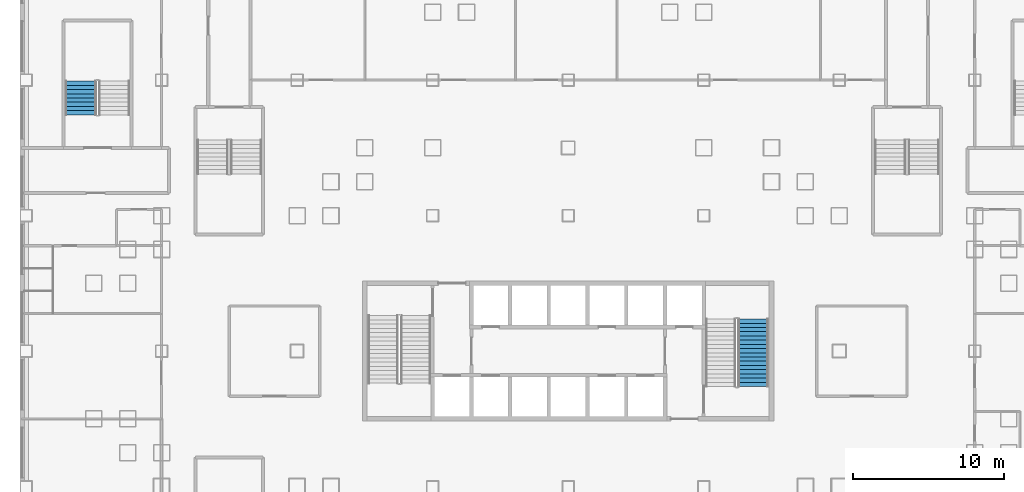
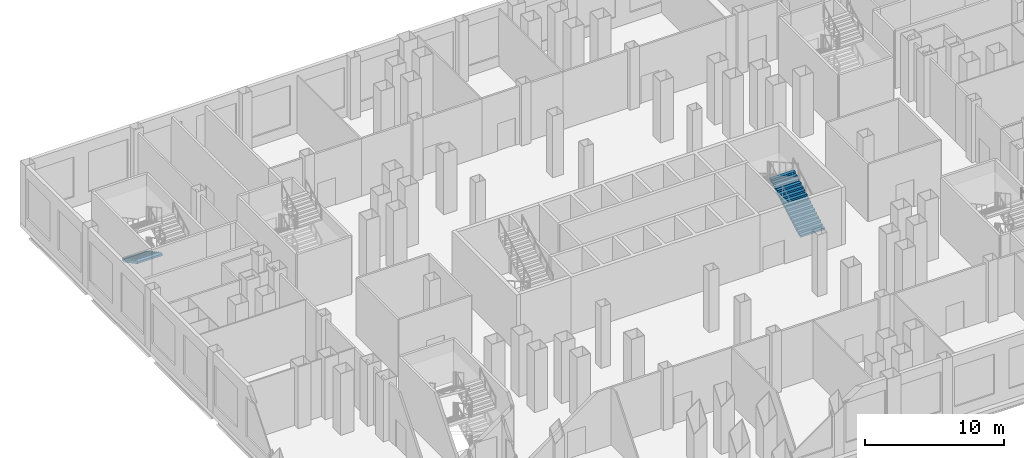
# One storey, part 15 of 27: 2 stair flights, 2 elements without a shape of their own.
"""IFC4 building model written with IfcOpenShell, lengths in metres."""

from ifc_helpers import new_model, si_unit, direction, frame, origin, place, context, subcontext, project, spatial, polygons, material, type_object, element, aggregate, save


model = new_model("IFC4")

# Units and contexts
model_context = context("Model", 3, precision=1e-05, world=origin(), true_north=direction((0.0, 1.0)))
body_context = subcontext(model_context, "Body", "Model", "MODEL_VIEW")
ifc_project = project(units=[si_unit("LENGTHUNIT", "METRE"), si_unit("AREAUNIT", "SQUARE_METRE"), si_unit("VOLUMEUNIT", "CUBIC_METRE"), si_unit("PLANEANGLEUNIT", "RADIAN"), si_unit("MASSUNIT", "GRAM", prefix="KILO")], contexts=[model_context])

# Site, building, storey
site_placement = place(None, origin())
site = spatial("IfcSite", under=ifc_project, at=site_placement, CompositionType="ELEMENT")
building_placement = place(site_placement, origin())
building = spatial("IfcBuilding", under=site, at=building_placement, Name="Caravel Reach Hotel and Residences", CompositionType="ELEMENT")
storey_placement = place(building_placement, frame((0.0, 0.0, 6.60009765625)))
storey = spatial("IfcBuildingStorey", under=building, at=storey_placement, Name="L01", CompositionType="ELEMENT", Elevation=6.60009765625)

# Stair, stair flight
ifc_material_1 = material(Name="Concrete C40", Category="concrete")
stair_type = type_object("IfcStairType", Name="Core stair", PredefinedType="HALF_TURN_STAIR", material=ifc_material_1)
stair_1_placement = place(storey_placement, origin())
stair_1 = element("IfcStair", 1, at=stair_1_placement, inside=storey, type_object=stair_type, Name="L01 Exit stair B", PredefinedType="HALF_TURN_STAIR")
ifc_material_2 = material(Name="Concrete C40", Category="concrete")
stair_flight_type = type_object("IfcStairFlightType", Name="Core stair flight", PredefinedType="STRAIGHT", material=ifc_material_2)
stair_flight_1_placement = place(storey_placement, frame((43.77490234375, 24.64990234375, 0.0), z_axis=(0.0, 0.0, 1.0), x_axis=(0.0, 1.0, 0.0)))
stair_flight_1 = element("IfcStairFlight", 2, at=stair_flight_1_placement, type_object=stair_flight_type, Name="ST-B flight 1", NumberOfRisers=17, NumberOfTreads=16, PredefinedType="STRAIGHT", RiserHeight=0.158823529, TreadLength=0.28, context=body_context, shape_type="Tessellation", body=[
    polygons([(0.30382651472380307, 1.0, 0.0), (0.30382651472380307, 0.6666666666666667, 0.0), (0.30382651472380307, 0.33333333333333337, 0.0), (0.30382651472380307, 0.0, 0.0), (0.30382651472380307, -0.33333333333333326, 0.0), (0.30382651472380307, -0.6666666666666667, 0.0), (0.30382651472380307, -1.0, 0.0), (4.481000000000001, 1.0, 2.3688378951706968), (4.481000000000001, 0.6666666666666667, 2.3688378951706968), (4.481000000000001, 0.33333333333333337, 2.3688378951706968), (4.481000000000001, 0.0, 2.3688378951706968), (4.481000000000001, -0.33333333333333326, 2.3688378951706968), (4.481000000000001, -0.6666666666666667, 2.3688378951706968), (4.481000000000001, -1.0, 2.3688378951706968), (4.481000000000001, 1.0, 2.541176464), (4.481000000000001, 0.6666666666666667, 2.541176464), (4.481000000000001, 0.33333333333333337, 2.541176464), (4.481000000000001, 0.0, 2.541176464), (4.481000000000001, -0.33333333333333326, 2.541176464), (4.481000000000001, -0.6666666666666667, 2.541176464), (4.481000000000001, -1.0, 2.541176464), (4.2, 1.0, 2.541176464), (4.2, 0.6666666666666667, 2.541176464), (4.2, 0.33333333333333337, 2.541176464), (4.2, 0.0, 2.541176464), (4.2, -0.33333333333333326, 2.541176464), (4.2, -0.6666666666666667, 2.541176464), (4.2, -1.0, 2.541176464), (4.2, 1.0, 2.3823529349999997), (4.2, 0.6666666666666667, 2.3823529349999997), (4.2, 0.33333333333333337, 2.3823529349999997), (4.2, 0.0, 2.3823529349999997), (4.2, -0.33333333333333326, 2.3823529349999997), (4.2, -0.6666666666666667, 2.3823529349999997), (4.2, -1.0, 2.3823529349999997), (3.9200000000000004, 1.0, 2.3823529349999997), (3.9200000000000004, 0.6666666666666667, 2.3823529349999997), (3.9200000000000004, 0.33333333333333337, 2.3823529349999997), (3.9200000000000004, 0.0, 2.3823529349999997), (3.9200000000000004, -0.33333333333333326, 2.3823529349999997), (3.9200000000000004, -0.6666666666666667, 2.3823529349999997), (3.9200000000000004, -1.0, 2.3823529349999997), (3.9200000000000004, 1.0, 2.223529406), (3.9200000000000004, 0.6666666666666667, 2.223529406), (3.9200000000000004, 0.33333333333333337, 2.223529406), (3.9200000000000004, 0.0, 2.223529406), (3.9200000000000004, -0.33333333333333326, 2.223529406), (3.9200000000000004, -0.6666666666666667, 2.223529406), (3.9200000000000004, -1.0, 2.223529406), (3.6400000000000006, 1.0, 2.223529406), (3.6400000000000006, 0.6666666666666667, 2.223529406), (3.6400000000000006, 0.33333333333333337, 2.223529406), (3.6400000000000006, 0.0, 2.223529406), (3.6400000000000006, -0.33333333333333326, 2.223529406), (3.6400000000000006, -0.6666666666666667, 2.223529406), (3.6400000000000006, -1.0, 2.223529406), (3.6400000000000006, 1.0, 2.0647058769999997), (3.6400000000000006, 0.6666666666666667, 2.0647058769999997), (3.6400000000000006, 0.33333333333333337, 2.0647058769999997), (3.6400000000000006, 0.0, 2.0647058769999997), (3.6400000000000006, -0.33333333333333326, 2.0647058769999997), (3.6400000000000006, -0.6666666666666667, 2.0647058769999997), (3.6400000000000006, -1.0, 2.0647058769999997), (3.3600000000000003, 1.0, 2.0647058769999997), (3.3600000000000003, 0.6666666666666667, 2.0647058769999997), (3.3600000000000003, 0.33333333333333337, 2.0647058769999997), (3.3600000000000003, 0.0, 2.0647058769999997), (3.3600000000000003, -0.33333333333333326, 2.0647058769999997), (3.3600000000000003, -0.6666666666666667, 2.0647058769999997), (3.3600000000000003, -1.0, 2.0647058769999997), (3.3600000000000003, 1.0, 1.905882348), (3.3600000000000003, 0.6666666666666667, 1.905882348), (3.3600000000000003, 0.33333333333333337, 1.905882348), (3.3600000000000003, 0.0, 1.905882348), (3.3600000000000003, -0.33333333333333326, 1.905882348), (3.3600000000000003, -0.6666666666666667, 1.905882348), (3.3600000000000003, -1.0, 1.905882348), (3.08, 1.0, 1.905882348), (3.08, 0.6666666666666667, 1.905882348), (3.08, 0.33333333333333337, 1.905882348), (3.08, 0.0, 1.905882348), (3.08, -0.33333333333333326, 1.905882348), (3.08, -0.6666666666666667, 1.905882348), (3.08, -1.0, 1.905882348), (3.08, 1.0, 1.7470588189999998), (3.08, 0.6666666666666667, 1.7470588189999998), (3.08, 0.33333333333333337, 1.7470588189999998), (3.08, 0.0, 1.7470588189999998), (3.08, -0.33333333333333326, 1.7470588189999998), (3.08, -0.6666666666666667, 1.7470588189999998), (3.08, -1.0, 1.7470588189999998), (2.8000000000000003, 1.0, 1.7470588189999998), (2.8000000000000003, 0.6666666666666667, 1.7470588189999998), (2.8000000000000003, 0.33333333333333337, 1.7470588189999998), (2.8000000000000003, 0.0, 1.7470588189999998), (2.8000000000000003, -0.33333333333333326, 1.7470588189999998), (2.8000000000000003, -0.6666666666666667, 1.7470588189999998), (2.8000000000000003, -1.0, 1.7470588189999998), (2.8000000000000003, 1.0, 1.5882352899999999), (2.8000000000000003, 0.6666666666666667, 1.5882352899999999), (2.8000000000000003, 0.33333333333333337, 1.5882352899999999), (2.8000000000000003, 0.0, 1.5882352899999999), (2.8000000000000003, -0.33333333333333326, 1.5882352899999999), (2.8000000000000003, -0.6666666666666667, 1.5882352899999999), (2.8000000000000003, -1.0, 1.5882352899999999), (2.5200000000000005, 1.0, 1.5882352899999999), (2.5200000000000005, 0.6666666666666667, 1.5882352899999999), (2.5200000000000005, 0.33333333333333337, 1.5882352899999999), (2.5200000000000005, 0.0, 1.5882352899999999), (2.5200000000000005, -0.33333333333333326, 1.5882352899999999), (2.5200000000000005, -0.6666666666666667, 1.5882352899999999), (2.5200000000000005, -1.0, 1.5882352899999999), (2.5200000000000005, 1.0, 1.429411761), (2.5200000000000005, 0.6666666666666667, 1.429411761), (2.5200000000000005, 0.33333333333333337, 1.429411761), (2.5200000000000005, 0.0, 1.429411761), (2.5200000000000005, -0.33333333333333326, 1.429411761), (2.5200000000000005, -0.6666666666666667, 1.429411761), (2.5200000000000005, -1.0, 1.429411761), (2.24, 1.0, 1.429411761), (2.24, 0.6666666666666667, 1.429411761), (2.24, 0.33333333333333337, 1.429411761), (2.24, 0.0, 1.429411761), (2.24, -0.33333333333333326, 1.429411761), (2.24, -0.6666666666666667, 1.429411761), (2.24, -1.0, 1.429411761), (2.24, 1.0, 1.270588232), (2.24, 0.6666666666666667, 1.270588232), (2.24, 0.33333333333333337, 1.270588232), (2.24, 0.0, 1.270588232), (2.24, -0.33333333333333326, 1.270588232), (2.24, -0.6666666666666667, 1.270588232), (2.24, -1.0, 1.270588232), (1.9600000000000002, 1.0, 1.270588232), (1.9600000000000002, 0.6666666666666667, 1.270588232), (1.9600000000000002, 0.33333333333333337, 1.270588232), (1.9600000000000002, 0.0, 1.270588232), (1.9600000000000002, -0.33333333333333326, 1.270588232), (1.9600000000000002, -0.6666666666666667, 1.270588232), (1.9600000000000002, -1.0, 1.270588232), (1.9600000000000002, 1.0, 1.111764703), (1.9600000000000002, 0.6666666666666667, 1.111764703), (1.9600000000000002, 0.33333333333333337, 1.111764703), (1.9600000000000002, 0.0, 1.111764703), (1.9600000000000002, -0.33333333333333326, 1.111764703), (1.9600000000000002, -0.6666666666666667, 1.111764703), (1.9600000000000002, -1.0, 1.111764703), (1.6800000000000002, 1.0, 1.111764703), (1.6800000000000002, 0.6666666666666667, 1.111764703), (1.6800000000000002, 0.33333333333333337, 1.111764703), (1.6800000000000002, 0.0, 1.111764703), (1.6800000000000002, -0.33333333333333326, 1.111764703), (1.6800000000000002, -0.6666666666666667, 1.111764703), (1.6800000000000002, -1.0, 1.111764703), (1.6800000000000002, 1.0, 0.952941174), (1.6800000000000002, 0.6666666666666667, 0.952941174), (1.6800000000000002, 0.33333333333333337, 0.952941174), (1.6800000000000002, 0.0, 0.952941174), (1.6800000000000002, -0.33333333333333326, 0.952941174), (1.6800000000000002, -0.6666666666666667, 0.952941174), (1.6800000000000002, -1.0, 0.952941174), (1.4000000000000001, 1.0, 0.952941174), (1.4000000000000001, 0.6666666666666667, 0.952941174), (1.4000000000000001, 0.33333333333333337, 0.952941174), (1.4000000000000001, 0.0, 0.952941174), (1.4000000000000001, -0.33333333333333326, 0.952941174), (1.4000000000000001, -0.6666666666666667, 0.952941174), (1.4000000000000001, -1.0, 0.952941174), (1.4000000000000001, 1.0, 0.7941176449999999), (1.4000000000000001, 0.6666666666666667, 0.7941176449999999), (1.4000000000000001, 0.33333333333333337, 0.7941176449999999), (1.4000000000000001, 0.0, 0.7941176449999999), (1.4000000000000001, -0.33333333333333326, 0.7941176449999999), (1.4000000000000001, -0.6666666666666667, 0.7941176449999999), (1.4000000000000001, -1.0, 0.7941176449999999), (1.12, 1.0, 0.7941176449999999), (1.12, 0.6666666666666667, 0.7941176449999999), (1.12, 0.33333333333333337, 0.7941176449999999), (1.12, 0.0, 0.7941176449999999), (1.12, -0.33333333333333326, 0.7941176449999999), (1.12, -0.6666666666666667, 0.7941176449999999), (1.12, -1.0, 0.7941176449999999), (1.12, 1.0, 0.635294116), (1.12, 0.6666666666666667, 0.635294116), (1.12, 0.33333333333333337, 0.635294116), (1.12, 0.0, 0.635294116), (1.12, -0.33333333333333326, 0.635294116), (1.12, -0.6666666666666667, 0.635294116), (1.12, -1.0, 0.635294116), (0.8400000000000001, 1.0, 0.635294116), (0.8400000000000001, 0.6666666666666667, 0.635294116), (0.8400000000000001, 0.33333333333333337, 0.635294116), (0.8400000000000001, 0.0, 0.635294116), (0.8400000000000001, -0.33333333333333326, 0.635294116), (0.8400000000000001, -0.6666666666666667, 0.635294116), (0.8400000000000001, -1.0, 0.635294116), (0.8400000000000001, 1.0, 0.476470587), (0.8400000000000001, 0.6666666666666667, 0.476470587), (0.8400000000000001, 0.33333333333333337, 0.476470587), (0.8400000000000001, 0.0, 0.476470587), (0.8400000000000001, -0.33333333333333326, 0.476470587), (0.8400000000000001, -0.6666666666666667, 0.476470587), (0.8400000000000001, -1.0, 0.476470587), (0.56, 1.0, 0.476470587), (0.56, 0.6666666666666667, 0.476470587), (0.56, 0.33333333333333337, 0.476470587), (0.56, 0.0, 0.476470587), (0.56, -0.33333333333333326, 0.476470587), (0.56, -0.6666666666666667, 0.476470587), (0.56, -1.0, 0.476470587), (0.56, 1.0, 0.317647058), (0.56, 0.6666666666666667, 0.317647058), (0.56, 0.33333333333333337, 0.317647058), (0.56, 0.0, 0.317647058), (0.56, -0.33333333333333326, 0.317647058), (0.56, -0.6666666666666667, 0.317647058), (0.56, -1.0, 0.317647058), (0.28, 1.0, 0.317647058), (0.28, 0.6666666666666667, 0.317647058), (0.28, 0.33333333333333337, 0.317647058), (0.28, 0.0, 0.317647058), (0.28, -0.33333333333333326, 0.317647058), (0.28, -0.6666666666666667, 0.317647058), (0.28, -1.0, 0.317647058), (0.28, 1.0, 0.158823529), (0.28, 0.6666666666666667, 0.158823529), (0.28, 0.33333333333333337, 0.158823529), (0.28, 0.0, 0.158823529), (0.28, -0.33333333333333326, 0.158823529), (0.28, -0.6666666666666667, 0.158823529), (0.28, -1.0, 0.158823529), (-0.001, 1.0, 0.158823529), (-0.001, 0.6666666666666667, 0.158823529), (-0.001, 0.33333333333333337, 0.158823529), (-0.001, 0.0, 0.158823529), (-0.001, -0.33333333333333326, 0.158823529), (-0.001, -0.6666666666666667, 0.158823529), (-0.001, -1.0, 0.158823529), (-0.001, 1.0, 0.0), (-0.001, 0.6666666666666667, 0.0), (-0.001, 0.33333333333333337, 0.0), (-0.001, 0.0, 0.0), (-0.001, -0.33333333333333326, 0.0), (-0.001, -0.6666666666666667, 0.0), (-0.001, -1.0, 0.0)], [[[239, 232, 225, 218, 211, 204, 197, 190, 183, 176, 169, 162, 155, 148, 141, 134, 127, 120, 113, 106, 99, 92, 85, 78, 71, 64, 57, 50, 43, 36, 29, 22, 15, 8, 1]], [[7, 14, 21, 28, 35, 42, 49, 56, 63, 70, 77, 84, 91, 98, 105, 112, 119, 126, 133, 140, 147, 154, 161, 168, 175, 182, 189, 196, 203, 210, 217, 224, 231, 238, 245]], [[1, 8, 9, 2]], [[2, 9, 10, 3]], [[3, 10, 11, 4]], [[4, 11, 12, 5]], [[5, 12, 13, 6]], [[6, 13, 14, 7]], [[8, 15, 16, 9]], [[9, 16, 17, 10]], [[10, 17, 18, 11]], [[11, 18, 19, 12]], [[12, 19, 20, 13]], [[13, 20, 21, 14]], [[15, 22, 23, 16]], [[16, 23, 24, 17]], [[17, 24, 25, 18]], [[18, 25, 26, 19]], [[19, 26, 27, 20]], [[20, 27, 28, 21]], [[22, 29, 30, 23]], [[23, 30, 31, 24]], [[24, 31, 32, 25]], [[25, 32, 33, 26]], [[26, 33, 34, 27]], [[27, 34, 35, 28]], [[29, 36, 37, 30]], [[30, 37, 38, 31]], [[31, 38, 39, 32]], [[32, 39, 40, 33]], [[33, 40, 41, 34]], [[34, 41, 42, 35]], [[36, 43, 44, 37]], [[37, 44, 45, 38]], [[38, 45, 46, 39]], [[39, 46, 47, 40]], [[40, 47, 48, 41]], [[41, 48, 49, 42]], [[43, 50, 51, 44]], [[44, 51, 52, 45]], [[45, 52, 53, 46]], [[46, 53, 54, 47]], [[47, 54, 55, 48]], [[48, 55, 56, 49]], [[50, 57, 58, 51]], [[51, 58, 59, 52]], [[52, 59, 60, 53]], [[53, 60, 61, 54]], [[54, 61, 62, 55]], [[55, 62, 63, 56]], [[57, 64, 65, 58]], [[58, 65, 66, 59]], [[59, 66, 67, 60]], [[60, 67, 68, 61]], [[61, 68, 69, 62]], [[62, 69, 70, 63]], [[64, 71, 72, 65]], [[65, 72, 73, 66]], [[66, 73, 74, 67]], [[67, 74, 75, 68]], [[68, 75, 76, 69]], [[69, 76, 77, 70]], [[71, 78, 79, 72]], [[72, 79, 80, 73]], [[73, 80, 81, 74]], [[74, 81, 82, 75]], [[75, 82, 83, 76]], [[76, 83, 84, 77]], [[78, 85, 86, 79]], [[79, 86, 87, 80]], [[80, 87, 88, 81]], [[81, 88, 89, 82]], [[82, 89, 90, 83]], [[83, 90, 91, 84]], [[85, 92, 93, 86]], [[86, 93, 94, 87]], [[87, 94, 95, 88]], [[88, 95, 96, 89]], [[89, 96, 97, 90]], [[90, 97, 98, 91]], [[92, 99, 100, 93]], [[93, 100, 101, 94]], [[94, 101, 102, 95]], [[95, 102, 103, 96]], [[96, 103, 104, 97]], [[97, 104, 105, 98]], [[99, 106, 107, 100]], [[100, 107, 108, 101]], [[101, 108, 109, 102]], [[102, 109, 110, 103]], [[103, 110, 111, 104]], [[104, 111, 112, 105]], [[106, 113, 114, 107]], [[107, 114, 115, 108]], [[108, 115, 116, 109]], [[109, 116, 117, 110]], [[110, 117, 118, 111]], [[111, 118, 119, 112]], [[113, 120, 121, 114]], [[114, 121, 122, 115]], [[115, 122, 123, 116]], [[116, 123, 124, 117]], [[117, 124, 125, 118]], [[118, 125, 126, 119]], [[120, 127, 128, 121]], [[121, 128, 129, 122]], [[122, 129, 130, 123]], [[123, 130, 131, 124]], [[124, 131, 132, 125]], [[125, 132, 133, 126]], [[127, 134, 135, 128]], [[128, 135, 136, 129]], [[129, 136, 137, 130]], [[130, 137, 138, 131]], [[131, 138, 139, 132]], [[132, 139, 140, 133]], [[134, 141, 142, 135]], [[135, 142, 143, 136]], [[136, 143, 144, 137]], [[137, 144, 145, 138]], [[138, 145, 146, 139]], [[139, 146, 147, 140]], [[141, 148, 149, 142]], [[142, 149, 150, 143]], [[143, 150, 151, 144]], [[144, 151, 152, 145]], [[145, 152, 153, 146]], [[146, 153, 154, 147]], [[148, 155, 156, 149]], [[149, 156, 157, 150]], [[150, 157, 158, 151]], [[151, 158, 159, 152]], [[152, 159, 160, 153]], [[153, 160, 161, 154]], [[155, 162, 163, 156]], [[156, 163, 164, 157]], [[157, 164, 165, 158]], [[158, 165, 166, 159]], [[159, 166, 167, 160]], [[160, 167, 168, 161]], [[162, 169, 170, 163]], [[163, 170, 171, 164]], [[164, 171, 172, 165]], [[165, 172, 173, 166]], [[166, 173, 174, 167]], [[167, 174, 175, 168]], [[169, 176, 177, 170]], [[170, 177, 178, 171]], [[171, 178, 179, 172]], [[172, 179, 180, 173]], [[173, 180, 181, 174]], [[174, 181, 182, 175]], [[176, 183, 184, 177]], [[177, 184, 185, 178]], [[178, 185, 186, 179]], [[179, 186, 187, 180]], [[180, 187, 188, 181]], [[181, 188, 189, 182]], [[183, 190, 191, 184]], [[184, 191, 192, 185]], [[185, 192, 193, 186]], [[186, 193, 194, 187]], [[187, 194, 195, 188]], [[188, 195, 196, 189]], [[190, 197, 198, 191]], [[191, 198, 199, 192]], [[192, 199, 200, 193]], [[193, 200, 201, 194]], [[194, 201, 202, 195]], [[195, 202, 203, 196]], [[197, 204, 205, 198]], [[198, 205, 206, 199]], [[199, 206, 207, 200]], [[200, 207, 208, 201]], [[201, 208, 209, 202]], [[202, 209, 210, 203]], [[204, 211, 212, 205]], [[205, 212, 213, 206]], [[206, 213, 214, 207]], [[207, 214, 215, 208]], [[208, 215, 216, 209]], [[209, 216, 217, 210]], [[211, 218, 219, 212]], [[212, 219, 220, 213]], [[213, 220, 221, 214]], [[214, 221, 222, 215]], [[215, 222, 223, 216]], [[216, 223, 224, 217]], [[218, 225, 226, 219]], [[219, 226, 227, 220]], [[220, 227, 228, 221]], [[221, 228, 229, 222]], [[222, 229, 230, 223]], [[223, 230, 231, 224]], [[225, 232, 233, 226]], [[226, 233, 234, 227]], [[227, 234, 235, 228]], [[228, 235, 236, 229]], [[229, 236, 237, 230]], [[230, 237, 238, 231]], [[232, 239, 240, 233]], [[233, 240, 241, 234]], [[234, 241, 242, 235]], [[235, 242, 243, 236]], [[236, 243, 244, 237]], [[237, 244, 245, 238]], [[239, 1, 2, 240]], [[240, 2, 3, 241]], [[241, 3, 4, 242]], [[242, 4, 5, 243]], [[243, 5, 6, 244]], [[244, 6, 7, 245]]], closed=True),
])
aggregate(stair_1, [stair_flight_1])

stair_2_placement = place(storey_placement, origin())
stair_2 = element("IfcStair", 3, at=stair_2_placement, inside=storey, type_object=stair_type, Name="L01 Exit stair P5", PredefinedType="HALF_TURN_STAIR")
stair_flight_2_placement = place(storey_placement, frame((-0.860107421875, 44.929931640625, 1.349853515625), z_axis=(0.0, 0.0, 1.0), x_axis=(0.0, -1.0, 0.0)))
stair_flight_2 = element("IfcStairFlight", 4, at=stair_flight_2_placement, type_object=stair_flight_type, Name="ST-P5 flight 2", NumberOfRisers=9, NumberOfTreads=8, PredefinedType="STRAIGHT", RiserHeight=0.15, TreadLength=0.28, context=body_context, shape_type="Tessellation", body=[
    polygons([(0.3174408016601864, 1.0350341796875, 0.0), (0.3174408016601864, 0.6900227864583333, 0.0), (0.3174408016601864, 0.34501139322916663, 0.0), (0.3174408016601864, 0.0, 0.0), (0.3174408016601864, -0.34501139322916674, 0.0), (0.3174408016601864, -0.6900227864583333, 0.0), (0.3174408016601864, -1.0350341796875, 0.0), (2.241, 1.0350341796875, 1.029942427682043), (2.241, 0.6900227864583333, 1.029942427682043), (2.241, 0.34501139322916663, 1.029942427682043), (2.241, 0.0, 1.029942427682043), (2.241, -0.34501139322916674, 1.029942427682043), (2.241, -0.6900227864583333, 1.029942427682043), (2.241, -1.0350341796875, 1.029942427682043), (2.241, 1.0350341796875, 1.2), (2.241, 0.6900227864583333, 1.2), (2.241, 0.34501139322916663, 1.2), (2.241, 0.0, 1.2), (2.241, -0.34501139322916674, 1.2), (2.241, -0.6900227864583333, 1.2), (2.241, -1.0350341796875, 1.2), (1.9600000000000002, 1.0350341796875, 1.2), (1.9600000000000002, 0.6900227864583333, 1.2), (1.9600000000000002, 0.34501139322916663, 1.2), (1.9600000000000002, 0.0, 1.2), (1.9600000000000002, -0.34501139322916674, 1.2), (1.9600000000000002, -0.6900227864583333, 1.2), (1.9600000000000002, -1.0350341796875, 1.2), (1.9600000000000002, 1.0350341796875, 1.05), (1.9600000000000002, 0.6900227864583333, 1.05), (1.9600000000000002, 0.34501139322916663, 1.05), (1.9600000000000002, 0.0, 1.05), (1.9600000000000002, -0.34501139322916674, 1.05), (1.9600000000000002, -0.6900227864583333, 1.05), (1.9600000000000002, -1.0350341796875, 1.05), (1.6800000000000002, 1.0350341796875, 1.05), (1.6800000000000002, 0.6900227864583333, 1.05), (1.6800000000000002, 0.34501139322916663, 1.05), (1.6800000000000002, 0.0, 1.05), (1.6800000000000002, -0.34501139322916674, 1.05), (1.6800000000000002, -0.6900227864583333, 1.05), (1.6800000000000002, -1.0350341796875, 1.05), (1.6800000000000002, 1.0350341796875, 0.8999999999999999), (1.6800000000000002, 0.6900227864583333, 0.8999999999999999), (1.6800000000000002, 0.34501139322916663, 0.8999999999999999), (1.6800000000000002, 0.0, 0.8999999999999999), (1.6800000000000002, -0.34501139322916674, 0.8999999999999999), (1.6800000000000002, -0.6900227864583333, 0.8999999999999999), (1.6800000000000002, -1.0350341796875, 0.8999999999999999), (1.4000000000000001, 1.0350341796875, 0.8999999999999999), (1.4000000000000001, 0.6900227864583333, 0.8999999999999999), (1.4000000000000001, 0.34501139322916663, 0.8999999999999999), (1.4000000000000001, 0.0, 0.8999999999999999), (1.4000000000000001, -0.34501139322916674, 0.8999999999999999), (1.4000000000000001, -0.6900227864583333, 0.8999999999999999), (1.4000000000000001, -1.0350341796875, 0.8999999999999999), (1.4000000000000001, 1.0350341796875, 0.75), (1.4000000000000001, 0.6900227864583333, 0.75), (1.4000000000000001, 0.34501139322916663, 0.75), (1.4000000000000001, 0.0, 0.75), (1.4000000000000001, -0.34501139322916674, 0.75), (1.4000000000000001, -0.6900227864583333, 0.75), (1.4000000000000001, -1.0350341796875, 0.75), (1.12, 1.0350341796875, 0.75), (1.12, 0.6900227864583333, 0.75), (1.12, 0.34501139322916663, 0.75), (1.12, 0.0, 0.75), (1.12, -0.34501139322916674, 0.75), (1.12, -0.6900227864583333, 0.75), (1.12, -1.0350341796875, 0.75), (1.12, 1.0350341796875, 0.6), (1.12, 0.6900227864583333, 0.6), (1.12, 0.34501139322916663, 0.6), (1.12, 0.0, 0.6), (1.12, -0.34501139322916674, 0.6), (1.12, -0.6900227864583333, 0.6), (1.12, -1.0350341796875, 0.6), (0.8400000000000001, 1.0350341796875, 0.6), (0.8400000000000001, 0.6900227864583333, 0.6), (0.8400000000000001, 0.34501139322916663, 0.6), (0.8400000000000001, 0.0, 0.6), (0.8400000000000001, -0.34501139322916674, 0.6), (0.8400000000000001, -0.6900227864583333, 0.6), (0.8400000000000001, -1.0350341796875, 0.6), (0.8400000000000001, 1.0350341796875, 0.44999999999999996), (0.8400000000000001, 0.6900227864583333, 0.44999999999999996), (0.8400000000000001, 0.34501139322916663, 0.44999999999999996), (0.8400000000000001, 0.0, 0.44999999999999996), (0.8400000000000001, -0.34501139322916674, 0.44999999999999996), (0.8400000000000001, -0.6900227864583333, 0.44999999999999996), (0.8400000000000001, -1.0350341796875, 0.44999999999999996), (0.56, 1.0350341796875, 0.44999999999999996), (0.56, 0.6900227864583333, 0.44999999999999996), (0.56, 0.34501139322916663, 0.44999999999999996), (0.56, 0.0, 0.44999999999999996), (0.56, -0.34501139322916674, 0.44999999999999996), (0.56, -0.6900227864583333, 0.44999999999999996), (0.56, -1.0350341796875, 0.44999999999999996), (0.56, 1.0350341796875, 0.3), (0.56, 0.6900227864583333, 0.3), (0.56, 0.34501139322916663, 0.3), (0.56, 0.0, 0.3), (0.56, -0.34501139322916674, 0.3), (0.56, -0.6900227864583333, 0.3), (0.56, -1.0350341796875, 0.3), (0.28, 1.0350341796875, 0.3), (0.28, 0.6900227864583333, 0.3), (0.28, 0.34501139322916663, 0.3), (0.28, 0.0, 0.3), (0.28, -0.34501139322916674, 0.3), (0.28, -0.6900227864583333, 0.3), (0.28, -1.0350341796875, 0.3), (0.28, 1.0350341796875, 0.15), (0.28, 0.6900227864583333, 0.15), (0.28, 0.34501139322916663, 0.15), (0.28, 0.0, 0.15), (0.28, -0.34501139322916674, 0.15), (0.28, -0.6900227864583333, 0.15), (0.28, -1.0350341796875, 0.15), (-0.001, 1.0350341796875, 0.15), (-0.001, 0.6900227864583333, 0.15), (-0.001, 0.34501139322916663, 0.15), (-0.001, 0.0, 0.15), (-0.001, -0.34501139322916674, 0.15), (-0.001, -0.6900227864583333, 0.15), (-0.001, -1.0350341796875, 0.15), (-0.001, 1.0350341796875, 0.0), (-0.001, 0.6900227864583333, 0.0), (-0.001, 0.34501139322916663, 0.0), (-0.001, 0.0, 0.0), (-0.001, -0.34501139322916674, 0.0), (-0.001, -0.6900227864583333, 0.0), (-0.001, -1.0350341796875, 0.0)], [[[127, 120, 113, 106, 99, 92, 85, 78, 71, 64, 57, 50, 43, 36, 29, 22, 15, 8, 1]], [[7, 14, 21, 28, 35, 42, 49, 56, 63, 70, 77, 84, 91, 98, 105, 112, 119, 126, 133]], [[1, 8, 9, 2]], [[2, 9, 10, 3]], [[3, 10, 11, 4]], [[4, 11, 12, 5]], [[5, 12, 13, 6]], [[6, 13, 14, 7]], [[8, 15, 16, 9]], [[9, 16, 17, 10]], [[10, 17, 18, 11]], [[11, 18, 19, 12]], [[12, 19, 20, 13]], [[13, 20, 21, 14]], [[15, 22, 23, 16]], [[16, 23, 24, 17]], [[17, 24, 25, 18]], [[18, 25, 26, 19]], [[19, 26, 27, 20]], [[20, 27, 28, 21]], [[22, 29, 30, 23]], [[23, 30, 31, 24]], [[24, 31, 32, 25]], [[25, 32, 33, 26]], [[26, 33, 34, 27]], [[27, 34, 35, 28]], [[29, 36, 37, 30]], [[30, 37, 38, 31]], [[31, 38, 39, 32]], [[32, 39, 40, 33]], [[33, 40, 41, 34]], [[34, 41, 42, 35]], [[36, 43, 44, 37]], [[37, 44, 45, 38]], [[38, 45, 46, 39]], [[39, 46, 47, 40]], [[40, 47, 48, 41]], [[41, 48, 49, 42]], [[43, 50, 51, 44]], [[44, 51, 52, 45]], [[45, 52, 53, 46]], [[46, 53, 54, 47]], [[47, 54, 55, 48]], [[48, 55, 56, 49]], [[50, 57, 58, 51]], [[51, 58, 59, 52]], [[52, 59, 60, 53]], [[53, 60, 61, 54]], [[54, 61, 62, 55]], [[55, 62, 63, 56]], [[57, 64, 65, 58]], [[58, 65, 66, 59]], [[59, 66, 67, 60]], [[60, 67, 68, 61]], [[61, 68, 69, 62]], [[62, 69, 70, 63]], [[64, 71, 72, 65]], [[65, 72, 73, 66]], [[66, 73, 74, 67]], [[67, 74, 75, 68]], [[68, 75, 76, 69]], [[69, 76, 77, 70]], [[71, 78, 79, 72]], [[72, 79, 80, 73]], [[73, 80, 81, 74]], [[74, 81, 82, 75]], [[75, 82, 83, 76]], [[76, 83, 84, 77]], [[78, 85, 86, 79]], [[79, 86, 87, 80]], [[80, 87, 88, 81]], [[81, 88, 89, 82]], [[82, 89, 90, 83]], [[83, 90, 91, 84]], [[85, 92, 93, 86]], [[86, 93, 94, 87]], [[87, 94, 95, 88]], [[88, 95, 96, 89]], [[89, 96, 97, 90]], [[90, 97, 98, 91]], [[92, 99, 100, 93]], [[93, 100, 101, 94]], [[94, 101, 102, 95]], [[95, 102, 103, 96]], [[96, 103, 104, 97]], [[97, 104, 105, 98]], [[99, 106, 107, 100]], [[100, 107, 108, 101]], [[101, 108, 109, 102]], [[102, 109, 110, 103]], [[103, 110, 111, 104]], [[104, 111, 112, 105]], [[106, 113, 114, 107]], [[107, 114, 115, 108]], [[108, 115, 116, 109]], [[109, 116, 117, 110]], [[110, 117, 118, 111]], [[111, 118, 119, 112]], [[113, 120, 121, 114]], [[114, 121, 122, 115]], [[115, 122, 123, 116]], [[116, 123, 124, 117]], [[117, 124, 125, 118]], [[118, 125, 126, 119]], [[120, 127, 128, 121]], [[121, 128, 129, 122]], [[122, 129, 130, 123]], [[123, 130, 131, 124]], [[124, 131, 132, 125]], [[125, 132, 133, 126]], [[127, 1, 2, 128]], [[128, 2, 3, 129]], [[129, 3, 4, 130]], [[130, 4, 5, 131]], [[131, 5, 6, 132]], [[132, 6, 7, 133]]], closed=True),
])
aggregate(stair_2, [stair_flight_2])

save(model, "model.ifc")
